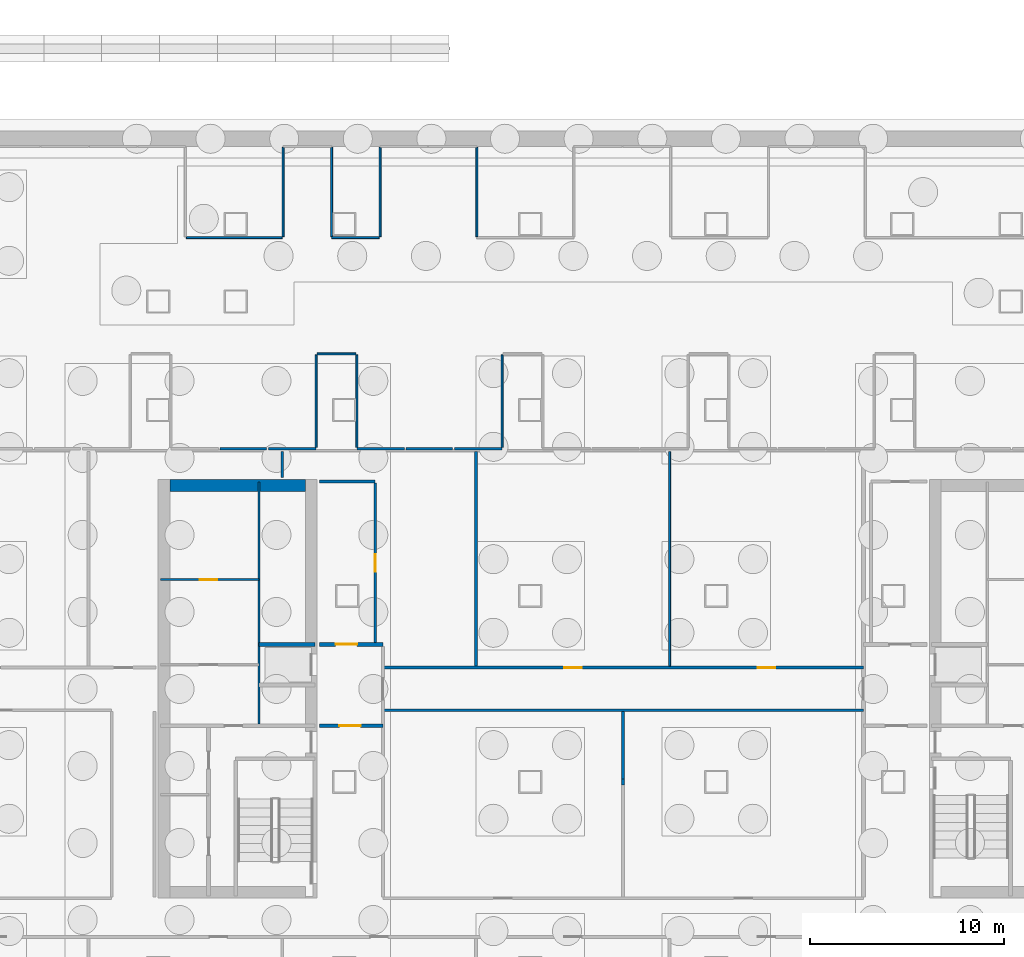
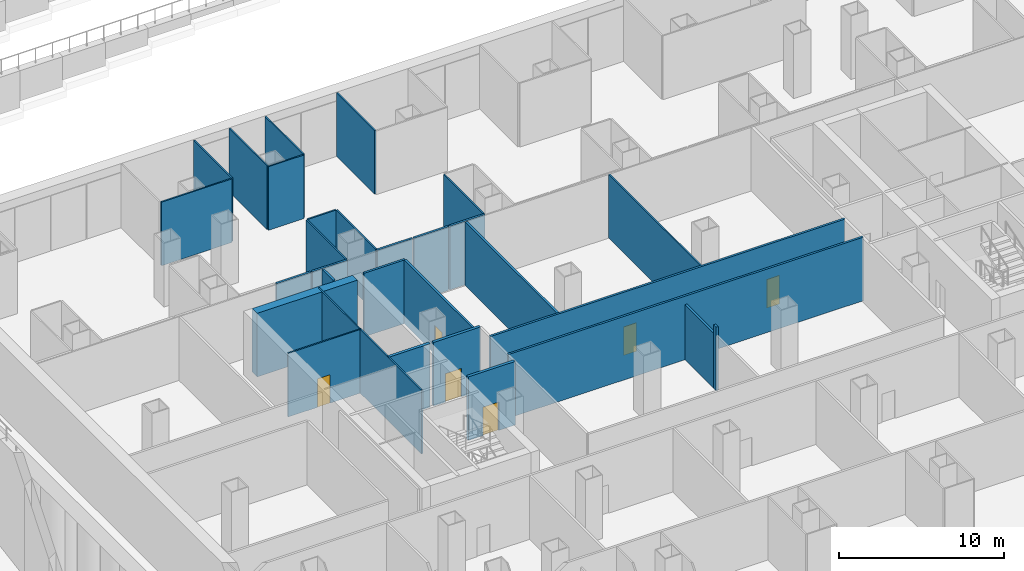
# One storey, part 9 of 17: 30 walls, 6 doors, 6 openings.
"""IFC4 building model written with IfcOpenShell, lengths in metres."""

from ifc_helpers import new_model, si_unit, direction, frame, frame_2d, origin, place, context, subcontext, project, spatial, rectangle, extrude, material, layer, layer_set, type_object, element, fill, save


model = new_model("IFC4")

# Units and contexts
model_context = context("Model", 3, precision=1e-05, world=origin(), true_north=direction((0.0, 1.0)))
body_context = subcontext(model_context, "Body", "Model", "MODEL_VIEW")
ifc_project = project(units=[si_unit("LENGTHUNIT", "METRE"), si_unit("AREAUNIT", "SQUARE_METRE"), si_unit("VOLUMEUNIT", "CUBIC_METRE"), si_unit("PLANEANGLEUNIT", "RADIAN"), si_unit("MASSUNIT", "GRAM", prefix="KILO")], contexts=[model_context])

# Site, building, storey
site_placement = place(None, origin())
site = spatial("IfcSite", under=ifc_project, at=site_placement, CompositionType="ELEMENT")
building_placement = place(site_placement, origin())
building = spatial("IfcBuilding", under=site, at=building_placement, Name="Cobrizo Arcos Hotel Tower", CompositionType="ELEMENT")
storey_placement = place(building_placement, frame((0.0, 0.0, -10.0)))
storey = spatial("IfcBuildingStorey", under=building, at=storey_placement, Name="B2", CompositionType="ELEMENT", Elevation=-10.0)

# Wall
ifc_material_1 = material(Name="Gypsum board partition")
ifc_layer_1 = layer(ifc_material_1, 0.14990234375)
ifc_layer_set_1 = layer_set([ifc_layer_1], Name="Corridor wall EI 60 150")
wall_type_1 = type_object("IfcWallType", Name="Corridor wall EI 60 150", PredefinedType="PARTITIONING", material=ifc_layer_set_1)
wall_1_placement = place(storey_placement, frame((-12.39990234375, -1.10009765625, 0.0), z_axis=(0.0, 0.0, 1.0), x_axis=(1.0, 0.0, 0.0)))
element("IfcWall", 1, at=wall_1_placement, inside=storey, type_object=wall_type_1, Name="Partition 072", PredefinedType="PARTITIONING", context=body_context, shape_type="SweptSolid", body=[
    extrude(rectangle(XDim=24.7998046875, YDim=0.14990234375, at=frame_2d((12.39990234375, 0.0))), origin(), (0.0, 0.0, 1.0), 4.699951171875),
])

# Wall, openings, doors
wall_2_placement = place(storey_placement, frame((-12.39990234375, 1.10009765625, 0.0), z_axis=(0.0, 0.0, 1.0), x_axis=(1.0, 0.0, 0.0)))
wall_2 = element("IfcWall", 2, at=wall_2_placement, inside=storey, type_object=wall_type_1, Name="Partition 077", PredefinedType="PARTITIONING", context=body_context, shape_type="SweptSolid", body=[
    extrude(rectangle(XDim=24.7998046875, YDim=0.14990234375, at=frame_2d((12.39990234375, 0.0))), origin(), (0.0, 0.0, 1.0), 4.699951171875),
])
opening_1_placement = place(wall_2_placement, frame((9.35009765625, 0.0, 0.0)))
opening_1 = element("IfcOpeningElement", 3, at=opening_1_placement, cuts=wall_2, Name="Opening RD-25", PredefinedType="OPENING", context=body_context, shape_type="SweptSolid", body=[
    extrude(rectangle(XDim=0.89990234375, YDim=2.10009765625, at=frame_2d((0.449951171875, 1.050048828125))), frame((0.0, 0.0869140625, 0.0), z_axis=(0.0, -1.0, 0.0), x_axis=(1.0, 0.0, 0.0)), (0.0, 0.0, 1.0), 0.173828125),
])
opening_2_placement = place(wall_2_placement, frame((19.35009765625, 0.0, 0.0)))
opening_2 = element("IfcOpeningElement", 4, at=opening_2_placement, cuts=wall_2, Name="Opening RD-26", PredefinedType="OPENING", context=body_context, shape_type="SweptSolid", body=[
    extrude(rectangle(XDim=0.89990234375, YDim=2.10009765625, at=frame_2d((0.449951171875, 1.050048828125))), frame((0.0, 0.0869140625, 0.0), z_axis=(0.0, -1.0, 0.0), x_axis=(1.0, 0.0, 0.0)), (0.0, 0.0, 1.0), 0.173828125),
])
ifc_material_2 = material(Name="Timber door leaf", Category="wood")
door_type_1 = type_object("IfcDoorType", Name="Room door FD30 900x2100", OperationType="SINGLE_SWING_LEFT", PredefinedType="DOOR", material=ifc_material_2)
door_1_placement = place(opening_1_placement, origin())
door_1 = element("IfcDoor", 5, at=door_1_placement, inside=storey, type_object=door_type_1, Name="Door RD-25", OperationType="SINGLE_SWING_LEFT", OverallHeight=2.10009765625, OverallWidth=0.89990234375, PredefinedType="DOOR", context=body_context, shape_type="SweptSolid", body=[
    extrude(rectangle(XDim=0.89990234375, YDim=2.10009765625, at=frame_2d((0.449951171875, 1.050048828125))), frame((0.0, 0.02490234375, 0.0), z_axis=(0.0, -1.0, 0.0), x_axis=(1.0, 0.0, 0.0)), (0.0, 0.0, 1.0), 0.050048828125),
])
fill(opening_1, door_1)
door_2_placement = place(opening_2_placement, origin())
door_2 = element("IfcDoor", 6, at=door_2_placement, inside=storey, type_object=door_type_1, Name="Door RD-26", OperationType="SINGLE_SWING_LEFT", OverallHeight=2.10009765625, OverallWidth=0.89990234375, PredefinedType="DOOR", context=body_context, shape_type="SweptSolid", body=[
    extrude(rectangle(XDim=0.89990234375, YDim=2.10009765625, at=frame_2d((0.449951171875, 1.050048828125))), frame((0.0, 0.02490234375, 0.0), z_axis=(0.0, -1.0, 0.0), x_axis=(1.0, 0.0, 0.0)), (0.0, 0.0, 1.0), 0.050048828125),
])
fill(opening_2, door_2)

# Walls
wall_3_placement = place(storey_placement, frame((-15.679931640625, 10.699951171875, 0.0), z_axis=(0.0, 0.0, 1.0), x_axis=(1.0, 0.0, 0.0)))
element("IfcWall", 7, at=wall_3_placement, inside=storey, type_object=wall_type_1, Name="Partition 087", PredefinedType="PARTITIONING", context=body_context, shape_type="SweptSolid", body=[
    extrude(rectangle(XDim=2.8798828125, YDim=0.14990234375, at=frame_2d((1.43994140625, 0.0))), origin(), (0.0, 0.0, 1.0), 4.699951171875),
])
wall_4_placement = place(storey_placement, frame((-20.800048828125, 12.39990234375, 0.0), z_axis=(0.0, 0.0, 1.0), x_axis=(1.0, 0.0, 0.0)))
element("IfcWall", 8, at=wall_4_placement, inside=storey, type_object=wall_type_1, Name="Partition 095", PredefinedType="PARTITIONING", context=body_context, shape_type="SweptSolid", body=[
    extrude(rectangle(XDim=2.400146484375, YDim=0.14990234375, at=frame_2d((1.2001953125, 0.0))), origin(), (0.0, 0.0, 1.0), 4.699951171875),
])
for number, where, z_axis, x_axis, name in (
    (9, (-18.300048828125, 12.39990234375, 0.0), (0.0, 0.0, 1.0), (1.0, 0.0, 0.0), "Partition 096"),
    (10, (-13.75, 12.39990234375, 0.0), (0.0, 0.0, 1.0), (1.0, 0.0, 0.0), "Partition 097"),
):
    element("IfcWall", number, at=place(storey_placement, frame(where, z_axis=z_axis, x_axis=x_axis)), inside=storey, type_object=wall_type_1, Name=name, PredefinedType="PARTITIONING", context=body_context, shape_type="SweptSolid", body=[
        extrude(rectangle(XDim=2.449951171875, YDim=0.14990234375, at=frame_2d((1.22509765625, 0.0))), origin(), (0.0, 0.0, 1.0), 4.699951171875),
    ])
wall_5_placement = place(storey_placement, frame((-11.199951171875, 12.39990234375, 0.0), z_axis=(0.0, 0.0, 1.0), x_axis=(1.0, 0.0, 0.0)))
element("IfcWall", 11, at=wall_5_placement, inside=storey, type_object=wall_type_1, Name="Partition 098", PredefinedType="PARTITIONING", context=body_context, shape_type="SweptSolid", body=[
    extrude(rectangle(XDim=2.39990234375, YDim=0.14990234375, at=frame_2d((1.199951171875, 0.0))), origin(), (0.0, 0.0, 1.0), 4.699951171875),
])
wall_6_placement = place(storey_placement, frame((-8.699951171875, 12.39990234375, 0.0), z_axis=(0.0, 0.0, 1.0), x_axis=(1.0, 0.0, 0.0)))
element("IfcWall", 12, at=wall_6_placement, inside=storey, type_object=wall_type_1, Name="Partition 099", PredefinedType="PARTITIONING", context=body_context, shape_type="SweptSolid", body=[
    extrude(rectangle(XDim=2.449951171875, YDim=0.14990234375, at=frame_2d((1.22509765625, 0.0))), origin(), (0.0, 0.0, 1.0), 4.699951171875),
])
wall_7_placement = place(storey_placement, frame((-17.60009765625, 10.919921875, 0.0), z_axis=(0.0, 0.0, 1.0), x_axis=(0.0, 1.0, 0.0)))
element("IfcWall", 13, at=wall_7_placement, inside=storey, type_object=wall_type_1, Name="Partition 169", PredefinedType="PARTITIONING", context=body_context, shape_type="SweptSolid", body=[
    extrude(rectangle(XDim=1.330078125, YDim=0.14990234375, at=frame_2d((0.6650390625, 0.0))), origin(), (0.0, 0.0, 1.0), 4.699951171875),
])

# Wall, opening, door
wall_8_placement = place(storey_placement, frame((-12.800048828125, 2.39990234375, 0.0), z_axis=(0.0, 0.0, 1.0), x_axis=(0.0, 1.0, 0.0)))
wall_8 = element("IfcWall", 14, at=wall_8_placement, inside=storey, type_object=wall_type_1, Name="Partition 176", PredefinedType="PARTITIONING", context=body_context, shape_type="SweptSolid", body=[
    extrude(rectangle(XDim=8.22509765625, YDim=0.14990234375, at=frame_2d((4.112548828125, 0.0))), origin(), (0.0, 0.0, 1.0), 4.699951171875),
])
opening_3_placement = place(wall_8_placement, frame((3.64990234375, 0.0, 0.0)))
opening_3 = element("IfcOpeningElement", 15, at=opening_3_placement, cuts=wall_8, Name="Opening RD-24", PredefinedType="OPENING", context=body_context, shape_type="SweptSolid", body=[
    extrude(rectangle(XDim=0.89990234375, YDim=2.10009765625, at=frame_2d((0.449951171875, 1.050048828125))), frame((0.0, 0.0869140625, 0.0), z_axis=(0.0, -1.0, 0.0), x_axis=(1.0, 0.0, 0.0)), (0.0, 0.0, 1.0), 0.173828125),
])
door_3_placement = place(opening_3_placement, origin())
door_3 = element("IfcDoor", 16, at=door_3_placement, inside=storey, type_object=door_type_1, Name="Door RD-24", OperationType="SINGLE_SWING_RIGHT", OverallHeight=2.10009765625, OverallWidth=0.89990234375, PredefinedType="DOOR", context=body_context, shape_type="SweptSolid", body=[
    extrude(rectangle(XDim=0.89990234375, YDim=2.10009765625, at=frame_2d((0.449951171875, 1.050048828125))), frame((0.0, 0.02490234375, 0.0), z_axis=(0.0, -1.0, 0.0), x_axis=(1.0, 0.0, 0.0)), (0.0, 0.0, 1.0), 0.050048828125),
])
fill(opening_3, door_3)

# Walls
wall_9_placement = place(storey_placement, frame((-7.60009765625, 1.175048828125, 0.0), z_axis=(0.0, 0.0, 1.0), x_axis=(0.0, 1.0, 0.0)))
element("IfcWall", 17, at=wall_9_placement, inside=storey, type_object=wall_type_1, Name="Partition 180", PredefinedType="PARTITIONING", context=body_context, shape_type="SweptSolid", body=[
    extrude(rectangle(XDim=11.074951171875, YDim=0.14990234375, at=frame_2d((5.53759765625, 0.0))), origin(), (0.0, 0.0, 1.0), 4.699951171875),
])
wall_10_placement = place(storey_placement, frame((0.0, -4.9541015625, 0.0), z_axis=(0.0, 0.0, 1.0), x_axis=(0.0, 1.0, 0.0)))
element("IfcWall", 18, at=wall_10_placement, inside=storey, type_object=wall_type_1, Name="Partition 188", PredefinedType="PARTITIONING", context=body_context, shape_type="SweptSolid", body=[
    extrude(rectangle(XDim=0.30810546875, YDim=0.14990234375, at=frame_2d((0.154052734375, 0.0))), origin(), (0.0, 0.0, 1.0), 4.699951171875),
])
wall_11_placement = place(storey_placement, frame((0.0, -4.64599609375, 0.0), z_axis=(0.0, 0.0, 1.0), x_axis=(0.0, 1.0, 0.0)))
element("IfcWall", 19, at=wall_11_placement, inside=storey, type_object=wall_type_1, Name="Partition 189", PredefinedType="PARTITIONING", context=body_context, shape_type="SweptSolid", body=[
    extrude(rectangle(XDim=3.470947265625, YDim=0.14990234375, at=frame_2d((1.7353515625, 0.0))), origin(), (0.0, 0.0, 1.0), 4.0830078125),
])

# Wall, opening, door
ifc_layer_2 = layer(ifc_material_1, 0.10009765625)
ifc_layer_set_2 = layer_set([ifc_layer_2], Name="Partition EI 30 100")
wall_type_2 = type_object("IfcWallType", Name="Partition EI 30 100", PredefinedType="PARTITIONING", material=ifc_layer_set_2)
wall_12_placement = place(storey_placement, frame((-23.8798828125, 5.64990234375, 0.0), z_axis=(0.0, 0.0, 1.0), x_axis=(1.0, 0.0, 0.0)))
wall_12 = element("IfcWall", 20, at=wall_12_placement, inside=storey, type_object=wall_type_2, Name="Partition 085", PredefinedType="PARTITIONING", context=body_context, shape_type="SweptSolid", body=[
    extrude(rectangle(XDim=5.079833984375, YDim=0.10009765625, at=frame_2d((2.5400390625, 0.0))), origin(), (0.0, 0.0, 1.0), 4.699951171875),
])
opening_4_placement = place(wall_12_placement, frame((2.030029296875, 0.0, 0.0)))
opening_4 = element("IfcOpeningElement", 21, at=opening_4_placement, cuts=wall_12, Name="Opening RD-05", PredefinedType="OPENING", context=body_context, shape_type="SweptSolid", body=[
    extrude(rectangle(XDim=0.89990234375, YDim=2.10009765625, at=frame_2d((0.449951171875, 1.050048828125))), frame((0.0, 0.06201171875, 0.0), z_axis=(0.0, -1.0, 0.0), x_axis=(1.0, 0.0, 0.0)), (0.0, 0.0, 1.0), 0.1240234375),
])
door_4_placement = place(opening_4_placement, origin())
door_4 = element("IfcDoor", 22, at=door_4_placement, inside=storey, type_object=door_type_1, Name="Door RD-05", OperationType="SINGLE_SWING_LEFT", OverallHeight=2.10009765625, OverallWidth=0.89990234375, PredefinedType="DOOR", context=body_context, shape_type="SweptSolid", body=[
    extrude(rectangle(XDim=0.89990234375, YDim=2.10009765625, at=frame_2d((0.449951171875, 1.050048828125))), frame((0.0, 0.02490234375, 0.0), z_axis=(0.0, -1.0, 0.0), x_axis=(1.0, 0.0, 0.0)), (0.0, 0.0, 1.0), 0.050048828125),
])
fill(opening_4, door_4)

# Walls
wall_13_placement = place(storey_placement, frame((-15.800048828125, 17.300048828125, 0.0), z_axis=(0.0, 0.0, 1.0), x_axis=(1.0, 0.0, 0.0)))
element("IfcWall", 23, at=wall_13_placement, inside=storey, type_object=wall_type_2, Name="Partition 113", PredefinedType="PARTITIONING", context=body_context, shape_type="SweptSolid", body=[
    extrude(rectangle(XDim=2.0, YDim=0.10009765625, at=frame_2d((1.0, 0.0))), origin(), (0.0, 0.0, 1.0), 4.699951171875),
])
wall_14_placement = place(storey_placement, frame((-22.550048828125, 23.300048828125, 0.0), z_axis=(0.0, 0.0, 1.0), x_axis=(1.0, 0.0, 0.0)))
element("IfcWall", 24, at=wall_14_placement, inside=storey, type_object=wall_type_2, Name="Partition 120", PredefinedType="PARTITIONING", context=body_context, shape_type="SweptSolid", body=[
    extrude(rectangle(XDim=4.949951171875, YDim=0.10009765625, at=frame_2d((2.47509765625, 0.0))), origin(), (0.0, 0.0, 1.0), 4.699951171875),
])
wall_15_placement = place(storey_placement, frame((-15.050048828125, 23.300048828125, 0.0), z_axis=(0.0, 0.0, 1.0), x_axis=(1.0, 0.0, 0.0)))
element("IfcWall", 25, at=wall_15_placement, inside=storey, type_object=wall_type_2, Name="Partition 121", PredefinedType="PARTITIONING", context=body_context, shape_type="SweptSolid", body=[
    extrude(rectangle(XDim=2.449951171875, YDim=0.10009765625, at=frame_2d((1.22509765625, 0.0))), origin(), (0.0, 0.0, 1.0), 4.699951171875),
])
wall_16_placement = place(storey_placement, frame((-18.800048828125, -1.800048828125, 0.0), z_axis=(0.0, 0.0, 1.0), x_axis=(0.0, 1.0, 0.0)))
element("IfcWall", 26, at=wall_16_placement, inside=storey, type_object=wall_type_2, Name="Partition 167", PredefinedType="PARTITIONING", context=body_context, shape_type="SweptSolid", body=[
    extrude(rectangle(XDim=12.47998046875, YDim=0.10009765625, at=frame_2d((6.239990234375, 0.0))), origin(), (0.0, 0.0, 1.0), 4.699951171875),
])
wall_17_placement = place(storey_placement, frame((-17.550048828125, 23.35009765625, 0.0), z_axis=(0.0, 0.0, 1.0), x_axis=(0.0, 1.0, 0.0)))
element("IfcWall", 27, at=wall_17_placement, inside=storey, type_object=wall_type_2, Name="Partition 170", PredefinedType="PARTITIONING", context=body_context, shape_type="SweptSolid", body=[
    extrude(rectangle(XDim=4.599853515625, YDim=0.10009765625, at=frame_2d((2.2998046875, 0.0))), origin(), (0.0, 0.0, 1.0), 4.699951171875),
])
wall_18_placement = place(storey_placement, frame((-15.85009765625, 12.47509765625, 0.0), z_axis=(0.0, 0.0, 1.0), x_axis=(0.0, 1.0, 0.0)))
element("IfcWall", 28, at=wall_18_placement, inside=storey, type_object=wall_type_2, Name="Partition 172", PredefinedType="PARTITIONING", context=body_context, shape_type="SweptSolid", body=[
    extrude(rectangle(XDim=4.77490234375, YDim=0.10009765625, at=frame_2d((2.387451171875, 0.0))), origin(), (0.0, 0.0, 1.0), 4.699951171875),
])
wall_19_placement = place(storey_placement, frame((-15.050048828125, 23.35009765625, 0.0), z_axis=(0.0, 0.0, 1.0), x_axis=(0.0, 1.0, 0.0)))
element("IfcWall", 29, at=wall_19_placement, inside=storey, type_object=wall_type_2, Name="Partition 173", PredefinedType="PARTITIONING", context=body_context, shape_type="SweptSolid", body=[
    extrude(rectangle(XDim=4.599853515625, YDim=0.10009765625, at=frame_2d((2.2998046875, 0.0))), origin(), (0.0, 0.0, 1.0), 4.699951171875),
])
wall_20_placement = place(storey_placement, frame((-13.75, 12.47509765625, 0.0), z_axis=(0.0, 0.0, 1.0), x_axis=(0.0, 1.0, 0.0)))
element("IfcWall", 30, at=wall_20_placement, inside=storey, type_object=wall_type_2, Name="Partition 175", PredefinedType="PARTITIONING", context=body_context, shape_type="SweptSolid", body=[
    extrude(rectangle(XDim=4.77490234375, YDim=0.10009765625, at=frame_2d((2.387451171875, 0.0))), origin(), (0.0, 0.0, 1.0), 4.699951171875),
])
for number, where, z_axis, x_axis, name in (
    (31, (-12.550048828125, 23.35009765625, 0.0), (0.0, 0.0, 1.0), (0.0, 1.0, 0.0), "Partition 177"),
    (32, (-7.550048828125, 23.35009765625, 0.0), (0.0, 0.0, 1.0), (0.0, 1.0, 0.0), "Partition 181"),
):
    element("IfcWall", number, at=place(storey_placement, frame(where, z_axis=z_axis, x_axis=x_axis)), inside=storey, type_object=wall_type_2, Name=name, PredefinedType="PARTITIONING", context=body_context, shape_type="SweptSolid", body=[
        extrude(rectangle(XDim=4.599853515625, YDim=0.10009765625, at=frame_2d((2.2998046875, 0.0))), origin(), (0.0, 0.0, 1.0), 4.699951171875),
    ])
wall_21_placement = place(storey_placement, frame((-6.25, 12.47509765625, 0.0), z_axis=(0.0, 0.0, 1.0), x_axis=(0.0, 1.0, 0.0)))
element("IfcWall", 33, at=wall_21_placement, inside=storey, type_object=wall_type_2, Name="Partition 183", PredefinedType="PARTITIONING", context=body_context, shape_type="SweptSolid", body=[
    extrude(rectangle(XDim=4.77490234375, YDim=0.10009765625, at=frame_2d((2.387451171875, 0.0))), origin(), (0.0, 0.0, 1.0), 4.699951171875),
])
wall_22_placement = place(storey_placement, frame((2.39990234375, 1.175048828125, 0.0), z_axis=(0.0, 0.0, 1.0), x_axis=(0.0, 1.0, 0.0)))
element("IfcWall", 34, at=wall_22_placement, inside=storey, type_object=wall_type_2, Name="Partition 191", PredefinedType="PARTITIONING", context=body_context, shape_type="SweptSolid", body=[
    extrude(rectangle(XDim=11.074951171875, YDim=0.10009765625, at=frame_2d((5.53759765625, 0.0))), origin(), (0.0, 0.0, 1.0), 4.699951171875),
])
ifc_material_3 = material(Name="Concrete f'c 60 MPa", Category="concrete")
ifc_layer_3 = layer(ifc_material_3, 0.60009765625)
ifc_layer_set_3 = layer_set([ifc_layer_3], Name="RC core wall 600 f'c 60")
wall_type_3 = type_object("IfcWallType", Name="RC core wall 600 f'c 60", PredefinedType="SHEAR", material=ifc_layer_set_3)
wall_23_placement = place(storey_placement, frame((-23.39990234375, 10.5, 0.0), z_axis=(0.0, 0.0, 1.0), x_axis=(1.0, 0.0, 0.0)))
element("IfcWall", 35, at=wall_23_placement, inside=storey, type_object=wall_type_3, Name="Core wall CW1, west core, north end, B2", PredefinedType="SHEAR", context=body_context, shape_type="SweptSolid", body=[
    extrude(rectangle(XDim=7.0, YDim=0.60009765625, at=frame_2d((3.5, 0.0))), origin(), (0.0, 0.0, 1.0), 4.699951171875),
])

# Wall, opening, door
ifc_layer_4 = layer(ifc_material_1, 0.199951171875)
ifc_layer_set_4 = layer_set([ifc_layer_4], Name="Shaft wall EI 120 200")
wall_type_4 = type_object("IfcWallType", Name="Shaft wall EI 120 200", PredefinedType="PARTITIONING", material=ifc_layer_set_4)
wall_24_placement = place(storey_placement, frame((-15.679931640625, -1.89990234375, 0.0), z_axis=(0.0, 0.0, 1.0), x_axis=(1.0, 0.0, 0.0)))
wall_24 = element("IfcWall", 36, at=wall_24_placement, inside=storey, type_object=wall_type_4, Name="Partition 068", PredefinedType="PARTITIONING", context=body_context, shape_type="SweptSolid", body=[
    extrude(rectangle(XDim=3.280029296875, YDim=0.199951171875, at=frame_2d((1.64013671875, 0.0))), origin(), (0.0, 0.0, 1.0), 4.699951171875),
])
opening_5_placement = place(wall_24_placement, frame((1.030029296875, 0.0, 0.0)))
opening_5 = element("IfcOpeningElement", 37, at=opening_5_placement, cuts=wall_24, Name="Opening FD-02", PredefinedType="OPENING", context=body_context, shape_type="SweptSolid", body=[
    extrude(rectangle(XDim=1.10009765625, YDim=2.10009765625, at=frame_2d((0.550048828125, 1.050048828125))), frame((0.0, 0.112060546875, 0.0), z_axis=(0.0, -1.0, 0.0), x_axis=(1.0, 0.0, 0.0)), (0.0, 0.0, 1.0), 0.223876953125),
])
ifc_material_4 = material(Name="Steel door leaf", Category="steel")
door_type_2 = type_object("IfcDoorType", Name="Fire door FD60 1100x2100", OperationType="SINGLE_SWING_LEFT", PredefinedType="DOOR", material=ifc_material_4)
door_5_placement = place(opening_5_placement, origin())
door_5 = element("IfcDoor", 38, at=door_5_placement, inside=storey, type_object=door_type_2, Name="Door FD-02", OperationType="SINGLE_SWING_LEFT", OverallHeight=2.10009765625, OverallWidth=1.10009765625, PredefinedType="DOOR", context=body_context, shape_type="SweptSolid", body=[
    extrude(rectangle(XDim=1.10009765625, YDim=2.10009765625, at=frame_2d((0.550048828125, 1.050048828125))), frame((0.0, 0.02490234375, 0.0), z_axis=(0.0, -1.0, 0.0), x_axis=(1.0, 0.0, 0.0)), (0.0, 0.0, 1.0), 0.050048828125),
])
fill(opening_5, door_5)

# Wall
wall_25_placement = place(storey_placement, frame((-18.800048828125, 2.300048828125, 0.0), z_axis=(0.0, 0.0, 1.0), x_axis=(1.0, 0.0, 0.0)))
element("IfcWall", 39, at=wall_25_placement, inside=storey, type_object=wall_type_4, Name="Partition 081", PredefinedType="PARTITIONING", context=body_context, shape_type="SweptSolid", body=[
    extrude(rectangle(XDim=2.880126953125, YDim=0.199951171875, at=frame_2d((1.43994140625, 0.0))), origin(), (0.0, 0.0, 1.0), 4.699951171875),
])

# Wall, opening, door
wall_26_placement = place(storey_placement, frame((-15.679931640625, 2.300048828125, 0.0), z_axis=(0.0, 0.0, 1.0), x_axis=(1.0, 0.0, 0.0)))
wall_26 = element("IfcWall", 40, at=wall_26_placement, inside=storey, type_object=wall_type_4, Name="Partition 082", PredefinedType="PARTITIONING", context=body_context, shape_type="SweptSolid", body=[
    extrude(rectangle(XDim=3.280029296875, YDim=0.199951171875, at=frame_2d((1.64013671875, 0.0))), origin(), (0.0, 0.0, 1.0), 4.699951171875),
])
opening_6_placement = place(wall_26_placement, frame((0.840087890625, 0.0, 0.0)))
opening_6 = element("IfcOpeningElement", 41, at=opening_6_placement, cuts=wall_26, Name="Opening FD-04", PredefinedType="OPENING", context=body_context, shape_type="SweptSolid", body=[
    extrude(rectangle(XDim=1.10009765625, YDim=2.10009765625, at=frame_2d((0.550048828125, 1.050048828125))), frame((0.0, 0.112060546875, 0.0), z_axis=(0.0, -1.0, 0.0), x_axis=(1.0, 0.0, 0.0)), (0.0, 0.0, 1.0), 0.223876953125),
])
door_6_placement = place(opening_6_placement, origin())
door_6 = element("IfcDoor", 42, at=door_6_placement, inside=storey, type_object=door_type_2, Name="Door FD-04", OperationType="SINGLE_SWING_LEFT", OverallHeight=2.10009765625, OverallWidth=1.10009765625, PredefinedType="DOOR", context=body_context, shape_type="SweptSolid", body=[
    extrude(rectangle(XDim=1.10009765625, YDim=2.10009765625, at=frame_2d((0.550048828125, 1.050048828125))), frame((0.0, 0.02490234375, 0.0), z_axis=(0.0, -1.0, 0.0), x_axis=(1.0, 0.0, 0.0)), (0.0, 0.0, 1.0), 0.050048828125),
])
fill(opening_6, door_6)

save(model, "model.ifc")
